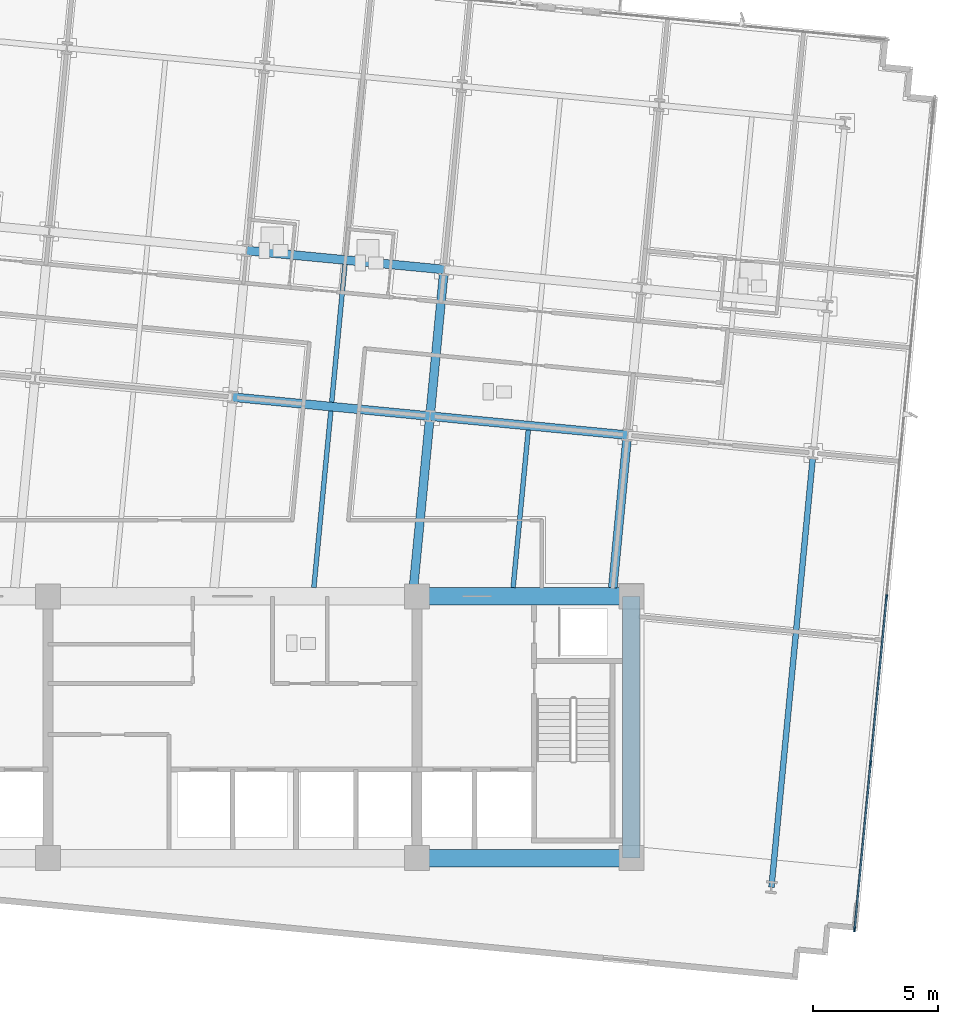
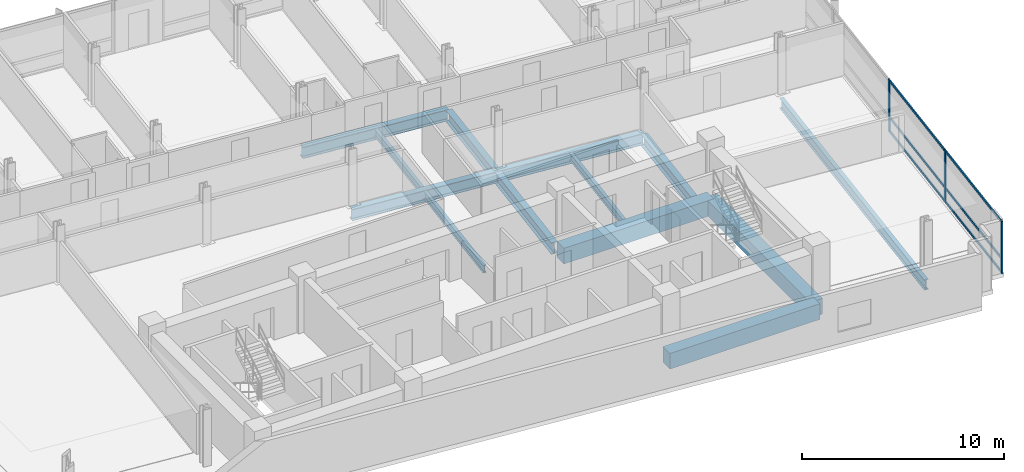
# One storey, part 5 of 17: 13 beams, 9 members, 1 element without a shape of its own.
"""IFC4 building model written with IfcOpenShell, lengths in metres."""

from ifc_helpers import new_model, si_unit, direction, frame, origin, origin_2d, place, context, subcontext, project, spatial, rectangle, i_section, extrude, material, material_profile, profile_set, type_object, element, aggregate, save


model = new_model("IFC4")

# Units and contexts
model_context = context("Model", 3, precision=1e-05, world=origin(), true_north=direction((0.0, 1.0)))
body_context = subcontext(model_context, "Body", "Model", "MODEL_VIEW")
ifc_project = project(units=[si_unit("LENGTHUNIT", "METRE"), si_unit("AREAUNIT", "SQUARE_METRE"), si_unit("VOLUMEUNIT", "CUBIC_METRE"), si_unit("PLANEANGLEUNIT", "RADIAN"), si_unit("MASSUNIT", "GRAM", prefix="KILO")], contexts=[model_context])

# Site, building, storey
site_placement = place(None, origin())
site = spatial("IfcSite", under=ifc_project, at=site_placement, CompositionType="ELEMENT")
building_placement = place(site_placement, origin())
building = spatial("IfcBuilding", under=site, at=building_placement, Name="Solmavex Isthmus Hotel", CompositionType="ELEMENT")
storey_placement = place(building_placement, frame((0.0, 0.0, 170.39990234375)))
storey = spatial("IfcBuildingStorey", under=building, at=storey_placement, Name="L46", CompositionType="ELEMENT", Elevation=170.39990234375)

# Beams
ifc_material_1 = material(Name="Steel ASTM A992 Grade 50", Category="steel")
ifc_material_profile_1 = material_profile(ifc_material_1, i_section(OverallWidth=0.354736328125, OverallDepth=0.695556640625, WebThickness=0.015380859375, FlangeThickness=0.02490234375, FilletRadius=0.017822265625, at=origin_2d()), Name="W27X146")
ifc_profile_set_1 = profile_set([ifc_material_profile_1], Name="Steel ASTM A992 Grade 50")
beam_type_1 = type_object("IfcBeamType", Name="BM-BG-W27X146", PredefinedType="BEAM", material=ifc_profile_set_1)
for number, where, z_axis, x_axis, name in (
    (1, (0.001220703125, 5.490234375, -0.607666015625), (0.995397440011, -0.095832856685, 0.0), (0.095832856685, 0.995397440011, 0.0), "Floor Girder L46-UG06"),
    (2, (7.920654296875, 4.727783203125, -0.607666015625), (0.995397440011, -0.095832856685, 0.0), (0.095832856685, 0.995397440011, 0.0), "Floor Girder L46-UG07"),
):
    element("IfcBeam", number, at=place(storey_placement, frame(where, z_axis=z_axis, x_axis=x_axis)), inside=storey, type_object=beam_type_1, Name=name, PredefinedType="BEAM", context=body_context, shape_type="SweptSolid", body=[
        extrude(i_section(OverallWidth=0.354736328125, OverallDepth=0.695556640625, WebThickness=0.015380859375, FlangeThickness=0.02490234375, FilletRadius=0.017822265625, at=origin_2d()), origin(), (0.0, 0.0, 1.0), 7.9560546875),
    ])
beam_1_placement = place(storey_placement, frame((0.567626953125, 11.37109375, -0.607666015625), z_axis=(0.995397158178, -0.095835783981, 0.0), x_axis=(0.095835783981, 0.995397158178, 0.0)))
element("IfcBeam", 3, at=beam_1_placement, inside=storey, type_object=beam_type_1, Name="Floor Girder L46-UG12", PredefinedType="BEAM", context=body_context, shape_type="SweptSolid", body=[
    extrude(i_section(OverallWidth=0.354736328125, OverallDepth=0.695556640625, WebThickness=0.015380859375, FlangeThickness=0.02490234375, FilletRadius=0.017822265625, at=origin_2d()), origin(), (0.0, 0.0, 1.0), 7.955810546875),
])
beam_2_placement = place(storey_placement, frame((7.25830078125, -2.14990234375, -0.607666015625), z_axis=(0.095847843924, 0.995395996986, 0.0), x_axis=(-0.995395996986, 0.095847843924, 0.0)))
element("IfcBeam", 4, at=beam_2_placement, inside=storey, type_object=beam_type_1, Name="Floor Beam L46-VG33", PredefinedType="BEAM", context=body_context, shape_type="SweptSolid", body=[
    extrude(i_section(OverallWidth=0.354736328125, OverallDepth=0.695556640625, WebThickness=0.015380859375, FlangeThickness=0.02490234375, FilletRadius=0.017822265625, at=origin_2d()), origin(), (0.0, 0.0, 1.0), 6.732177734375),
])
beam_3_placement = place(storey_placement, frame((7.937744140625, 4.904296875, -0.607666015625), z_axis=(0.095842252862, 0.99539653534, 0.0), x_axis=(-0.99539653534, 0.095842252862, 0.0)))
element("IfcBeam", 5, at=beam_3_placement, inside=storey, type_object=beam_type_1, Name="Floor Beam L46-VG34", PredefinedType="BEAM", context=body_context, shape_type="SweptSolid", body=[
    extrude(i_section(OverallWidth=0.354736328125, OverallDepth=0.695556640625, WebThickness=0.015380859375, FlangeThickness=0.02490234375, FilletRadius=0.017822265625, at=origin_2d()), origin(), (0.0, 0.0, 1.0), 5.55322265625),
])
beam_4_placement = place(storey_placement, frame((15.251220703125, -2.14990234375, -0.607666015625), z_axis=(0.095840286514, 0.995396724669, 0.0), x_axis=(-0.995396724669, 0.095840286514, 0.0)))
element("IfcBeam", 6, at=beam_4_placement, inside=storey, type_object=beam_type_1, Name="Floor Beam L46-VG36", PredefinedType="BEAM", context=body_context, shape_type="SweptSolid", body=[
    extrude(i_section(OverallWidth=0.354736328125, OverallDepth=0.695556640625, WebThickness=0.015380859375, FlangeThickness=0.02490234375, FilletRadius=0.017822265625, at=origin_2d()), origin(), (0.0, 0.0, 1.0), 5.9658203125),
])
ifc_material_profile_2 = material_profile(ifc_material_1, i_section(OverallWidth=0.1904296875, OverallDepth=0.456787109375, WebThickness=0.009033203125, FlangeThickness=0.014404296875, FilletRadius=0.0126953125, at=origin_2d()), Name="W18X50")
ifc_profile_set_2 = profile_set([ifc_material_profile_2], Name="Steel ASTM A992 Grade 50")
beam_type_2 = type_object("IfcBeamType", Name="BM-BJ-W18X50", PredefinedType="JOIST", material=ifc_profile_set_2)
beam_5_placement = place(storey_placement, frame((3.261962890625, -2.14990234375, -0.48828125), z_axis=(0.095837287001, 0.995397013468, 0.0), x_axis=(-0.995397013468, 0.095837287001, 0.0)))
element("IfcBeam", 7, at=beam_5_placement, inside=storey, type_object=beam_type_2, Name="Secondary Floor Joist L46-J10", PredefinedType="JOIST", context=body_context, shape_type="SweptSolid", body=[
    extrude(i_section(OverallWidth=0.1904296875, OverallDepth=0.456787109375, WebThickness=0.009033203125, FlangeThickness=0.014404296875, FilletRadius=0.0126953125, at=origin_2d()), origin(), (0.0, 0.0, 1.0), 7.114990234375),
])
beam_6_placement = place(storey_placement, frame((3.97802734375, 5.28564453125, -0.48828125), z_axis=(0.095842252862, 0.99539653534, 0.0), x_axis=(-0.99539653534, 0.095842252862, 0.0)))
element("IfcBeam", 8, at=beam_6_placement, inside=storey, type_object=beam_type_2, Name="Secondary Floor Joist L46-J11", PredefinedType="JOIST", context=body_context, shape_type="SweptSolid", body=[
    extrude(i_section(OverallWidth=0.1904296875, OverallDepth=0.456787109375, WebThickness=0.009033203125, FlangeThickness=0.014404296875, FilletRadius=0.0126953125, at=origin_2d()), origin(), (0.0, 0.0, 1.0), 5.55322265625),
])
beam_7_placement = place(storey_placement, frame((11.2548828125, -2.14990234375, -0.48828125), z_axis=(0.095825243261, 0.995398172971, 0.0), x_axis=(-0.995398172971, 0.095825243261, 0.0)))
element("IfcBeam", 9, at=beam_7_placement, inside=storey, type_object=beam_type_2, Name="Secondary Floor Joist L46-J13", PredefinedType="JOIST", context=body_context, shape_type="SweptSolid", body=[
    extrude(i_section(OverallWidth=0.1904296875, OverallDepth=0.456787109375, WebThickness=0.009033203125, FlangeThickness=0.014404296875, FilletRadius=0.0126953125, at=origin_2d()), origin(), (0.0, 0.0, 1.0), 6.34912109375),
])
ifc_material_2 = material(Name="Concrete C60/75", Category="concrete")
ifc_material_profile_3 = material_profile(ifc_material_2, rectangle(XDim=0.699951171875, YDim=0.949951171875, at=origin_2d()), Name="RC700X950")
ifc_profile_set_3 = profile_set([ifc_material_profile_3], Name="Concrete C60/75")
beam_type_3 = type_object("IfcBeamType", Name="BM-CB-700X950", PredefinedType="BEAM", material=ifc_profile_set_3)
for number, where, z_axis, x_axis, name in (
    (10, (7.39990234375, -13.0, -0.73486328125), (1.0, 0.0, 0.0), (0.0, 1.0, 0.0), "Core Coupling Beam L46-CB3"),
    (11, (7.39990234375, -2.5, -0.73486328125), (1.0, 0.0, 0.0), (0.0, 1.0, 0.0), "Core Coupling Beam L46-CB6"),
):
    element("IfcBeam", number, at=place(storey_placement, frame(where, z_axis=z_axis, x_axis=x_axis)), inside=storey, type_object=beam_type_3, Name=name, PredefinedType="BEAM", context=body_context, shape_type="SweptSolid", body=[
        extrude(rectangle(XDim=0.699951171875, YDim=0.949951171875, at=origin_2d()), origin(), (0.0, 0.0, 1.0), 8.60009765625),
    ])
beam_8_placement = place(storey_placement, frame((16.0, -13.0, -0.73486328125), z_axis=(0.0, 1.0, 0.0), x_axis=(-1.0, 0.0, 0.0)))
element("IfcBeam", 12, at=beam_8_placement, inside=storey, type_object=beam_type_3, Name="Core Coupling Beam L46-CB8", PredefinedType="BEAM", context=body_context, shape_type="SweptSolid", body=[
    extrude(rectangle(XDim=0.699951171875, YDim=0.949951171875, at=origin_2d()), origin(), (0.0, 0.0, 1.0), 10.5),
])
ifc_material_profile_4 = material_profile(ifc_material_1, i_section(OverallWidth=0.230224609375, OverallDepth=0.617431640625, WebThickness=0.01318359375, FlangeThickness=0.022216796875, FilletRadius=0.01513671875, at=origin_2d()), Name="W24X94")
ifc_profile_set_4 = profile_set([ifc_material_profile_4], Name="Steel ASTM A992 Grade 50")
beam_type_4 = type_object("IfcBeamType", Name="BM-SP-W24X94", PredefinedType="SPANDREL", material=ifc_profile_set_4)
beam_9_placement = place(storey_placement, frame((21.6162109375, -14.171875, -0.568603515625), z_axis=(0.095851245948, 0.995395669395, 0.0), x_axis=(-0.995395669395, 0.095851245948, 0.0)))
element("IfcBeam", 13, at=beam_9_placement, inside=storey, type_object=beam_type_4, Name="Floor Beam L46-VG39", PredefinedType="SPANDREL", context=body_context, shape_type="SweptSolid", body=[
    extrude(i_section(OverallWidth=0.230224609375, OverallDepth=0.617431640625, WebThickness=0.01318359375, FlangeThickness=0.022216796875, FilletRadius=0.01513671875, at=origin_2d()), origin(), (0.0, 0.0, 1.0), 17.32275390625),
])

# Curtain wall, members
ifc_material_3 = material(Name="Aluminium alloy 6063-T6", Category="aluminium")
curtain_wall_type = type_object("IfcCurtainWallType", Name="CW-SYS-03", PredefinedType="NOTDEFINED", material=ifc_material_3)
curtain_wall_placement = place(storey_placement, origin())
curtain_wall = element("IfcCurtainWall", 14, at=curtain_wall_placement, inside=storey, type_object=curtain_wall_type, Name="Stick Curtain Wall CWL-L46-E1", PredefinedType="NOTDEFINED")
ifc_material_profile_5 = material_profile(ifc_material_3, rectangle(XDim=0.070068359375, YDim=0.179931640625, at=origin_2d()), Name="CWM-70X180")
ifc_profile_set_5 = profile_set([ifc_material_profile_5], Name="Aluminium alloy 6063-T6")
member_type_1 = type_object("IfcMemberType", Name="CW-SYS-03-MUL", PredefinedType="MULLION", material=ifc_profile_set_5)
member_1_placement = place(storey_placement, frame((24.949462890625, -15.8642578125, 0.0), z_axis=(0.0, 0.0, 1.0), x_axis=(-0.995396190038, 0.09584583902, 0.0)))
member_1 = element("IfcMember", 15, at=member_1_placement, type_object=member_type_1, Name="CW-03 mullion 1", PredefinedType="MULLION", context=body_context, shape_type="SweptSolid", body=[
    extrude(rectangle(XDim=0.070068359375, YDim=0.179931640625, at=origin_2d()), origin(), (0.0, 0.0, 1.0), 3.190185546875),
])
member_2_placement = place(storey_placement, frame((25.590087890625, -9.2099609375, 0.0), z_axis=(0.0, 0.0, 1.0), x_axis=(-0.995396190038, 0.09584583902, 0.0)))
member_2 = element("IfcMember", 16, at=member_2_placement, type_object=member_type_1, Name="CW-03 mullion 2", PredefinedType="MULLION", context=body_context, shape_type="SweptSolid", body=[
    extrude(rectangle(XDim=0.070068359375, YDim=0.179931640625, at=origin_2d()), origin(), (0.0, 0.0, 1.0), 3.190185546875),
])
member_3_placement = place(storey_placement, frame((26.234130859375, -2.520751953125, 0.0), z_axis=(0.0, 0.0, 1.0), x_axis=(-0.995396190038, 0.09584583902, 0.0)))
member_3 = element("IfcMember", 17, at=member_3_placement, type_object=member_type_1, Name="CW-03 mullion 3", PredefinedType="MULLION", context=body_context, shape_type="SweptSolid", body=[
    extrude(rectangle(XDim=0.070068359375, YDim=0.179931640625, at=origin_2d()), origin(), (0.0, 0.0, 1.0), 3.190185546875),
])
ifc_material_profile_6 = material_profile(ifc_material_3, rectangle(XDim=0.070068359375, YDim=0.139892578125, at=origin_2d()), Name="CWT-70X140")
ifc_profile_set_6 = profile_set([ifc_material_profile_6], Name="Aluminium alloy 6063-T6")
member_type_2 = type_object("IfcMemberType", Name="CW-SYS-03-TRN", PredefinedType="USERDEFINED", material=ifc_profile_set_6)
member_4_placement = place(storey_placement, frame((24.95263671875, -15.829345703125, 0.070068359375), z_axis=(0.095848837806, 0.995395901283, 0.0), x_axis=(-0.995395901283, 0.095848837806, 0.0)))
member_4 = element("IfcMember", 18, at=member_4_placement, type_object=member_type_2, Name="CW-03 transom 1.1", ObjectType="TRANSOM", PredefinedType="USERDEFINED", context=body_context, shape_type="SweptSolid", body=[
    extrude(rectangle(XDim=0.070068359375, YDim=0.139892578125, at=origin_2d()), origin(), (0.0, 0.0, 1.0), 6.614990234375),
])
member_5_placement = place(storey_placement, frame((24.95263671875, -15.829345703125, 0.900146484375), z_axis=(0.095848837806, 0.995395901283, 0.0), x_axis=(-0.995395901283, 0.095848837806, 0.0)))
member_5 = element("IfcMember", 19, at=member_5_placement, type_object=member_type_2, Name="CW-03 transom 1.2", ObjectType="TRANSOM", PredefinedType="USERDEFINED", context=body_context, shape_type="SweptSolid", body=[
    extrude(rectangle(XDim=0.070068359375, YDim=0.139892578125, at=origin_2d()), origin(), (0.0, 0.0, 1.0), 6.614990234375),
])
member_6_placement = place(storey_placement, frame((24.95263671875, -15.829345703125, 3.1201171875), z_axis=(0.095848837806, 0.995395901283, 0.0), x_axis=(-0.995395901283, 0.095848837806, 0.0)))
member_6 = element("IfcMember", 20, at=member_6_placement, type_object=member_type_2, Name="CW-03 transom 1.3", ObjectType="TRANSOM", PredefinedType="USERDEFINED", context=body_context, shape_type="SweptSolid", body=[
    extrude(rectangle(XDim=0.070068359375, YDim=0.139892578125, at=origin_2d()), origin(), (0.0, 0.0, 1.0), 6.614990234375),
])
member_7_placement = place(storey_placement, frame((25.593505859375, -9.175048828125, 0.070068359375), z_axis=(0.095857212138, 0.995395094865, 0.0), x_axis=(-0.995395094865, 0.095857212138, 0.0)))
member_7 = element("IfcMember", 21, at=member_7_placement, type_object=member_type_2, Name="CW-03 transom 2.1", ObjectType="TRANSOM", PredefinedType="USERDEFINED", context=body_context, shape_type="SweptSolid", body=[
    extrude(rectangle(XDim=0.070068359375, YDim=0.139892578125, at=origin_2d()), origin(), (0.0, 0.0, 1.0), 6.64990234375),
])
member_8_placement = place(storey_placement, frame((25.593505859375, -9.175048828125, 0.900146484375), z_axis=(0.095857212138, 0.995395094865, 0.0), x_axis=(-0.995395094865, 0.095857212138, 0.0)))
member_8 = element("IfcMember", 22, at=member_8_placement, type_object=member_type_2, Name="CW-03 transom 2.2", ObjectType="TRANSOM", PredefinedType="USERDEFINED", context=body_context, shape_type="SweptSolid", body=[
    extrude(rectangle(XDim=0.070068359375, YDim=0.139892578125, at=origin_2d()), origin(), (0.0, 0.0, 1.0), 6.64990234375),
])
member_9_placement = place(storey_placement, frame((25.593505859375, -9.175048828125, 3.1201171875), z_axis=(0.095857212138, 0.995395094865, 0.0), x_axis=(-0.995395094865, 0.095857212138, 0.0)))
member_9 = element("IfcMember", 23, at=member_9_placement, type_object=member_type_2, Name="CW-03 transom 2.3", ObjectType="TRANSOM", PredefinedType="USERDEFINED", context=body_context, shape_type="SweptSolid", body=[
    extrude(rectangle(XDim=0.070068359375, YDim=0.139892578125, at=origin_2d()), origin(), (0.0, 0.0, 1.0), 6.64990234375),
])
aggregate(curtain_wall, [member_1, member_2, member_3, member_4, member_5, member_6, member_7, member_8, member_9])

save(model, "model.ifc")
